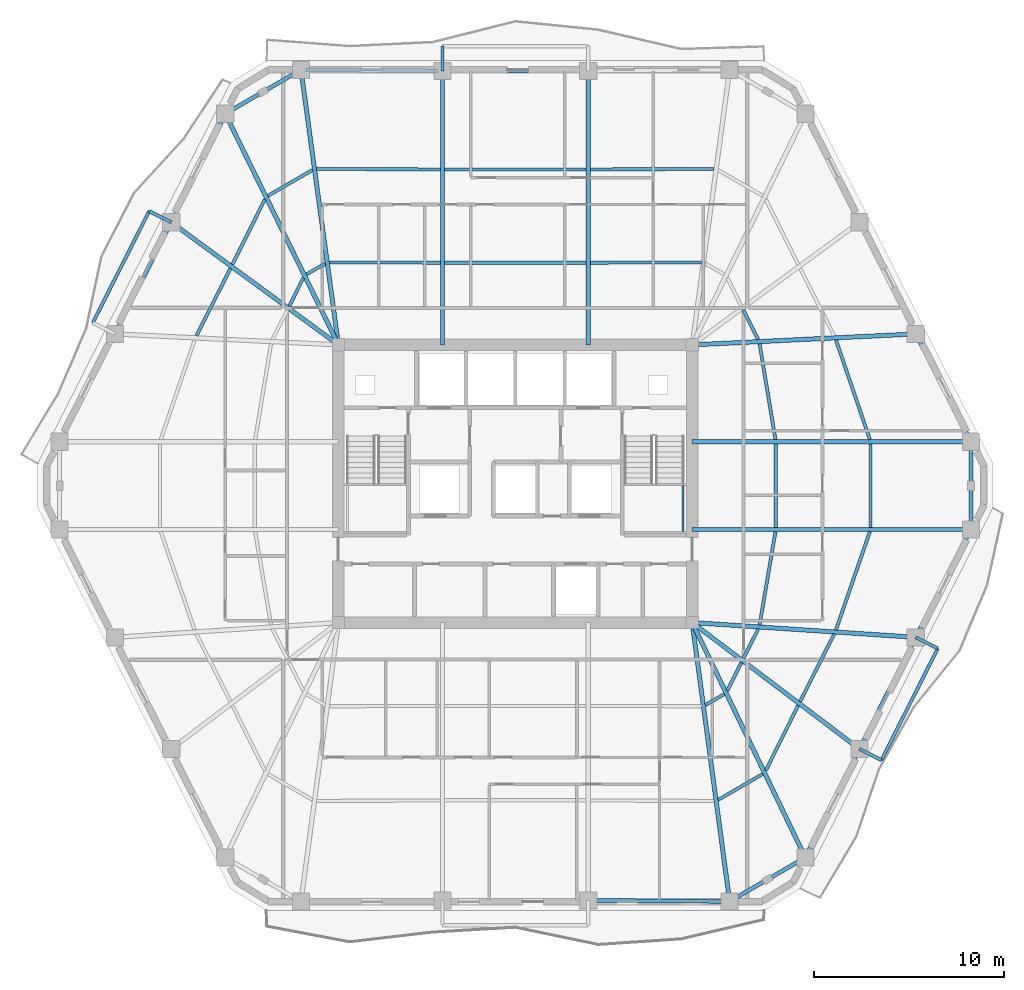
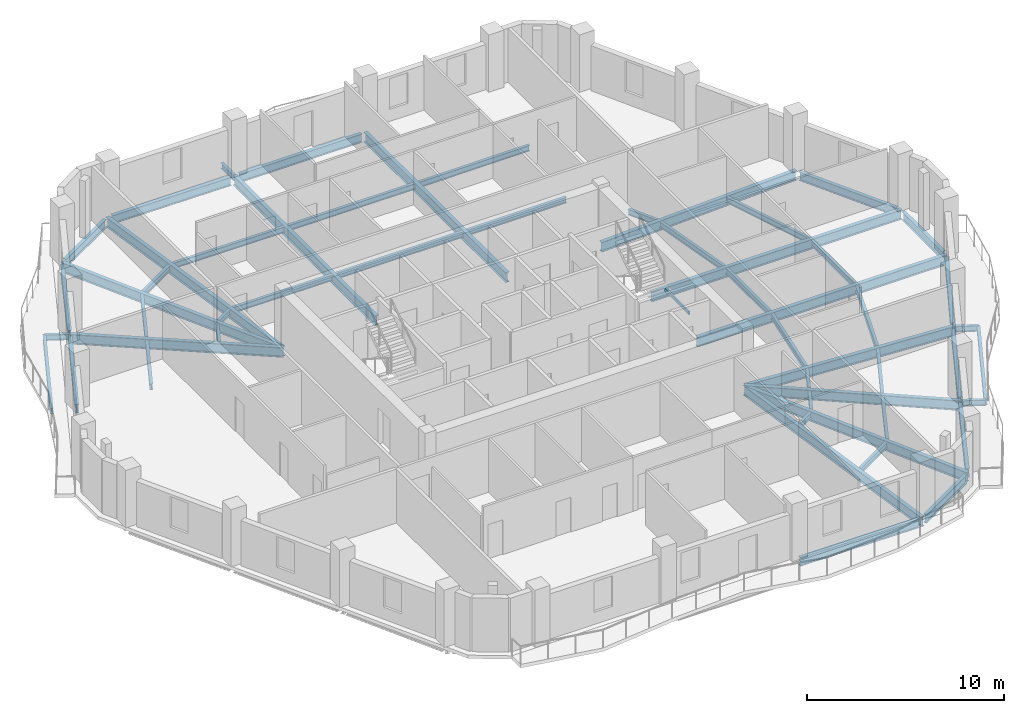
# One storey, part 2 of 10: 55 beams.
"""IFC4 building model written with IfcOpenShell, lengths in metres."""

from ifc_helpers import new_model, si_unit, direction, frame, origin, origin_2d, place, context, subcontext, project, spatial, hollow_rectangle, i_section, extrude, material, material_profile, profile_set, type_object, element, save


model = new_model("IFC4")

# Units and contexts
model_context = context("Model", 3, precision=1e-05, world=origin(), true_north=direction((0.0, 1.0)))
body_context = subcontext(model_context, "Body", "Model", "MODEL_VIEW")
ifc_project = project(units=[si_unit("LENGTHUNIT", "METRE"), si_unit("AREAUNIT", "SQUARE_METRE"), si_unit("VOLUMEUNIT", "CUBIC_METRE"), si_unit("PLANEANGLEUNIT", "RADIAN"), si_unit("MASSUNIT", "GRAM", prefix="KILO")], contexts=[model_context])

# Site, building, storey
site_placement = place(None, origin())
site = spatial("IfcSite", under=ifc_project, at=site_placement, CompositionType="ELEMENT")
building_placement = place(site_placement, origin())
building = spatial("IfcBuilding", under=site, at=building_placement, Name="Cinnabar Lancet Tower", CompositionType="ELEMENT")
storey_placement = place(building_placement, frame((0.0, 0.0, 164.14990234375)))
storey = spatial("IfcBuildingStorey", under=building, at=storey_placement, Name="L43", CompositionType="ELEMENT", Elevation=164.14990234375)

# Beams
ifc_material_1 = material(Name="Structural steel S355", Category="steel")
ifc_material_profile_1 = material_profile(ifc_material_1, i_section(OverallWidth=0.17138671875, OverallDepth=0.35498046875, WebThickness=0.00732421875, FlangeThickness=0.011474609375, FilletRadius=0.01025390625, at=origin_2d()), Name="UKB 356x171x51")
ifc_profile_set_1 = profile_set([ifc_material_profile_1], Name="Structural steel S355")
beam_type_1 = type_object("IfcBeamType", Name="STR-BM-JST-356", PredefinedType="JOIST", material=ifc_profile_set_1)
beam_1_placement = place(storey_placement, frame((43.06689453125, 9.279052734375, -0.387939453125), z_axis=(0.865172906898, 0.501473669469, 0.0), x_axis=(-0.501473669469, 0.865172906898, 0.0)))
element("IfcBeam", 1, at=beam_1_placement, inside=storey, type_object=beam_type_1, Name="L43 Secondary Floor Joist 15", PredefinedType="JOIST", context=body_context, shape_type="SweptSolid", body=[
    extrude(i_section(OverallWidth=0.17138671875, OverallDepth=0.35498046875, WebThickness=0.00732421875, FlangeThickness=0.011474609375, FilletRadius=0.01025390625, at=origin_2d()), origin(), (0.0, 0.0, 1.0), 2.705810546875),
])
beam_2_placement = place(storey_placement, frame((42.39794921875, 14.263916015625, -0.387939453125), z_axis=(0.865426285481, 0.501036270542, 0.0), x_axis=(-0.501036270542, 0.865426285481, 0.0)))
element("IfcBeam", 2, at=beam_2_placement, inside=storey, type_object=beam_type_1, Name="L43 Secondary Floor Joist 16", PredefinedType="JOIST", context=body_context, shape_type="SweptSolid", body=[
    extrude(i_section(OverallWidth=0.17138671875, OverallDepth=0.35498046875, WebThickness=0.00732421875, FlangeThickness=0.011474609375, FilletRadius=0.01025390625, at=origin_2d()), origin(), (0.0, 0.0, 1.0), 1.1416015625),
])
beam_3_placement = place(storey_placement, frame((45.572021484375, 10.822998046875, -0.387939453125), z_axis=(0.445320605596, 0.895371184611, 0.0), x_axis=(-0.895371184611, 0.445320605596, 0.0)))
element("IfcBeam", 3, at=beam_3_placement, inside=storey, type_object=beam_type_1, Name="L43 Secondary Floor Joist 17", PredefinedType="JOIST", context=body_context, shape_type="SweptSolid", body=[
    extrude(i_section(OverallWidth=0.17138671875, OverallDepth=0.35498046875, WebThickness=0.00732421875, FlangeThickness=0.011474609375, FilletRadius=0.01025390625, at=origin_2d()), origin(), (0.0, 0.0, 1.0), 3.819580078125),
])
beam_4_placement = place(storey_placement, frame((43.549072265625, 15.02294921875, -0.387939453125), z_axis=(0.445203586036, 0.895429375764, 0.0), x_axis=(-0.895429375764, 0.445203586036, 0.0)))
element("IfcBeam", 4, at=beam_4_placement, inside=storey, type_object=beam_type_1, Name="L43 Secondary Floor Joist 18", PredefinedType="JOIST", context=body_context, shape_type="SweptSolid", body=[
    extrude(i_section(OverallWidth=0.17138671875, OverallDepth=0.35498046875, WebThickness=0.00732421875, FlangeThickness=0.011474609375, FilletRadius=0.01025390625, at=origin_2d()), origin(), (0.0, 0.0, 1.0), 1.65283203125),
])
beam_5_placement = place(storey_placement, frame((47.376953125, 14.450927734375, -0.387939453125), z_axis=(0.450656035687, 0.892697674187, 0.0), x_axis=(-0.892697674187, 0.450656035687, 0.0)))
element("IfcBeam", 5, at=beam_5_placement, inside=storey, type_object=beam_type_1, Name="L43 Secondary Floor Joist 19", PredefinedType="JOIST", context=body_context, shape_type="SweptSolid", body=[
    extrude(i_section(OverallWidth=0.17138671875, OverallDepth=0.35498046875, WebThickness=0.00732421875, FlangeThickness=0.011474609375, FilletRadius=0.01025390625, at=origin_2d()), origin(), (0.0, 0.0, 1.0), 3.9677734375),
])
beam_6_placement = place(storey_placement, frame((44.388916015625, 16.7099609375, -0.387939453125), z_axis=(0.45064755491, 0.892701955444, 0.0), x_axis=(-0.892701955444, 0.45064755491, 0.0)))
element("IfcBeam", 6, at=beam_6_placement, inside=storey, type_object=beam_type_1, Name="L43 Secondary Floor Joist 20", PredefinedType="JOIST", context=body_context, shape_type="SweptSolid", body=[
    extrude(i_section(OverallWidth=0.17138671875, OverallDepth=0.35498046875, WebThickness=0.00732421875, FlangeThickness=0.011474609375, FilletRadius=0.01025390625, at=origin_2d()), origin(), (0.0, 0.0, 1.0), 1.733154296875),
])
beam_7_placement = place(storey_placement, frame((49.260009765625, 18.215087890625, -0.387939453125), z_axis=(0.326162915393, 0.945313573701, 0.0), x_axis=(-0.945313573701, 0.326162915393, 0.0)))
element("IfcBeam", 7, at=beam_7_placement, inside=storey, type_object=beam_type_1, Name="L43 Secondary Floor Joist 21", PredefinedType="JOIST", context=body_context, shape_type="SweptSolid", body=[
    extrude(i_section(OverallWidth=0.17138671875, OverallDepth=0.35498046875, WebThickness=0.00732421875, FlangeThickness=0.011474609375, FilletRadius=0.01025390625, at=origin_2d()), origin(), (0.0, 0.0, 1.0), 5.46044921875),
])
beam_8_placement = place(storey_placement, frame((45.2451171875, 18.47998046875, -0.387939453125), z_axis=(0.167649950638, 0.985846587483, 0.0), x_axis=(-0.985846587483, 0.167649950638, 0.0)))
element("IfcBeam", 8, at=beam_8_placement, inside=storey, type_object=beam_type_1, Name="L43 Secondary Floor Joist 22", PredefinedType="JOIST", context=body_context, shape_type="SweptSolid", body=[
    extrude(i_section(OverallWidth=0.17138671875, OverallDepth=0.35498046875, WebThickness=0.00732421875, FlangeThickness=0.011474609375, FilletRadius=0.01025390625, at=origin_2d()), origin(), (0.0, 0.0, 1.0), 4.96728515625),
])
for number, where, z_axis, x_axis, name in (
    (9, (51.080078125, 23.60498046875, -0.387939453125), (0.0, 1.0, 0.0), (-1.0, 0.0, 0.0), "L43 Secondary Floor Joist 23"),
    (10, (46.096923828125, 23.60498046875, -0.387939453125), (0.0, 1.0, 0.0), (-1.0, 0.0, 0.0), "L43 Secondary Floor Joist 24"),
):
    element("IfcBeam", number, at=place(storey_placement, frame(where, z_axis=z_axis, x_axis=x_axis)), inside=storey, type_object=beam_type_1, Name=name, PredefinedType="JOIST", context=body_context, shape_type="SweptSolid", body=[
        extrude(i_section(OverallWidth=0.17138671875, OverallDepth=0.35498046875, WebThickness=0.00732421875, FlangeThickness=0.011474609375, FilletRadius=0.01025390625, at=origin_2d()), origin(), (0.0, 0.0, 1.0), 4.39013671875),
    ])
beam_9_placement = place(storey_placement, frame((51.0419921875, 28.222900390625, -0.387939453125), z_axis=(-0.322342106762, 0.946623244067, 0.0), x_axis=(-0.946623244067, -0.322342106762, 0.0)))
element("IfcBeam", 11, at=beam_9_placement, inside=storey, type_object=beam_type_1, Name="L43 Secondary Floor Joist 25", PredefinedType="JOIST", context=body_context, shape_type="SweptSolid", body=[
    extrude(i_section(OverallWidth=0.17138671875, OverallDepth=0.35498046875, WebThickness=0.00732421875, FlangeThickness=0.011474609375, FilletRadius=0.01025390625, at=origin_2d()), origin(), (0.0, 0.0, 1.0), 5.5283203125),
])
beam_10_placement = place(storey_placement, frame((46.077880859375, 28.222900390625, -0.387939453125), z_axis=(-0.163375154205, 0.98656401667, 0.0), x_axis=(-0.98656401667, -0.163375154205, 0.0)))
element("IfcBeam", 12, at=beam_10_placement, inside=storey, type_object=beam_type_1, Name="L43 Secondary Floor Joist 26", PredefinedType="JOIST", context=body_context, shape_type="SweptSolid", body=[
    extrude(i_section(OverallWidth=0.17138671875, OverallDepth=0.35498046875, WebThickness=0.00732421875, FlangeThickness=0.011474609375, FilletRadius=0.01025390625, at=origin_2d()), origin(), (0.0, 0.0, 1.0), 5.104736328125),
])
beam_11_placement = place(storey_placement, frame((45.1689453125, 33.48388671875, -0.387939453125), z_axis=(-0.450425008213, 0.892814265106, 0.0), x_axis=(-0.892814265106, -0.450425008213, 0.0)))
element("IfcBeam", 13, at=beam_11_placement, inside=storey, type_object=beam_type_1, Name="L43 Secondary Floor Joist 28", PredefinedType="JOIST", context=body_context, shape_type="SweptSolid", body=[
    extrude(i_section(OverallWidth=0.17138671875, OverallDepth=0.35498046875, WebThickness=0.00732421875, FlangeThickness=0.011474609375, FilletRadius=0.01025390625, at=origin_2d()), origin(), (0.0, 0.0, 1.0), 1.731689453125),
])
beam_12_placement = place(storey_placement, frame((42.844970703125, 42.4541015625, -0.387939453125), z_axis=(-0.999987891549, -0.004921052359, 0.0), x_axis=(0.004921052359, -0.999987891549, 0.0)))
element("IfcBeam", 14, at=beam_12_placement, inside=storey, type_object=beam_type_1, Name="L43 Secondary Floor Joist 33", PredefinedType="JOIST", context=body_context, shape_type="SweptSolid", body=[
    extrude(i_section(OverallWidth=0.17138671875, OverallDepth=0.35498046875, WebThickness=0.00732421875, FlangeThickness=0.011474609375, FilletRadius=0.01025390625, at=origin_2d()), origin(), (0.0, 0.0, 1.0), 6.4990234375),
])
beam_13_placement = place(storey_placement, frame((42.176025390625, 37.5380859375, -0.387939453125), z_axis=(-0.999996629591, -0.002596306157, 0.0), x_axis=(0.002596306157, -0.999996629591, 0.0)))
element("IfcBeam", 15, at=beam_13_placement, inside=storey, type_object=beam_type_1, Name="L43 Secondary Floor Joist 34", PredefinedType="JOIST", context=body_context, shape_type="SweptSolid", body=[
    extrude(i_section(OverallWidth=0.17138671875, OverallDepth=0.35498046875, WebThickness=0.00732421875, FlangeThickness=0.011474609375, FilletRadius=0.01025390625, at=origin_2d()), origin(), (0.0, 0.0, 1.0), 5.830078125),
])
for number, where, z_axis, x_axis, name in (
    (16, (36.117919921875, 42.4208984375, -0.387939453125), (-1.0, 0.0, 0.0), (0.0, -1.0, 0.0), "L43 Secondary Floor Joist 35"),
    (17, (36.117919921875, 37.52197265625, -0.387939453125), (-1.0, 0.0, 0.0), (0.0, -1.0, 0.0), "L43 Secondary Floor Joist 36"),
):
    element("IfcBeam", number, at=place(storey_placement, frame(where, z_axis=z_axis, x_axis=x_axis)), inside=storey, type_object=beam_type_1, Name=name, PredefinedType="JOIST", context=body_context, shape_type="SweptSolid", body=[
        extrude(i_section(OverallWidth=0.17138671875, OverallDepth=0.35498046875, WebThickness=0.00732421875, FlangeThickness=0.011474609375, FilletRadius=0.01025390625, at=origin_2d()), origin(), (0.0, 0.0, 1.0), 7.43603515625),
    ])
beam_14_placement = place(storey_placement, frame((28.4541015625, 42.422119140625, -0.387939453125), z_axis=(-0.999987891549, 0.004921052359, 0.0), x_axis=(-0.004921052359, -0.999987891549, 0.0)))
element("IfcBeam", 18, at=beam_14_placement, inside=storey, type_object=beam_type_1, Name="L43 Secondary Floor Joist 37", PredefinedType="JOIST", context=body_context, shape_type="SweptSolid", body=[
    extrude(i_section(OverallWidth=0.17138671875, OverallDepth=0.35498046875, WebThickness=0.00732421875, FlangeThickness=0.011474609375, FilletRadius=0.01025390625, at=origin_2d()), origin(), (0.0, 0.0, 1.0), 6.4990234375),
])
beam_15_placement = place(storey_placement, frame((28.4541015625, 37.52294921875, -0.387939453125), z_axis=(-0.999996629591, 0.002596306157, 0.0), x_axis=(-0.002596306157, -0.999996629591, 0.0)))
element("IfcBeam", 19, at=beam_15_placement, inside=storey, type_object=beam_type_1, Name="L43 Secondary Floor Joist 38", PredefinedType="JOIST", context=body_context, shape_type="SweptSolid", body=[
    extrude(i_section(OverallWidth=0.17138671875, OverallDepth=0.35498046875, WebThickness=0.00732421875, FlangeThickness=0.011474609375, FilletRadius=0.01025390625, at=origin_2d()), origin(), (0.0, 0.0, 1.0), 5.830078125),
])
beam_16_placement = place(storey_placement, frame((21.73291015625, 42.39306640625, -0.387939453125), z_axis=(-0.865111063351, -0.50158035056, 0.0), x_axis=(0.50158035056, -0.865111063351, 0.0)))
element("IfcBeam", 20, at=beam_16_placement, inside=storey, type_object=beam_type_1, Name="L43 Secondary Floor Joist 39", PredefinedType="JOIST", context=body_context, shape_type="SweptSolid", body=[
    extrude(i_section(OverallWidth=0.17138671875, OverallDepth=0.35498046875, WebThickness=0.00732421875, FlangeThickness=0.011474609375, FilletRadius=0.01025390625, at=origin_2d()), origin(), (0.0, 0.0, 1.0), 2.705810546875),
])
beam_17_placement = place(storey_placement, frame((22.403076171875, 37.47607421875, -0.387939453125), z_axis=(-0.865640778484, -0.500665599602, 0.0), x_axis=(0.500665599602, -0.865640778484, 0.0)))
element("IfcBeam", 21, at=beam_17_placement, inside=storey, type_object=beam_type_1, Name="L43 Secondary Floor Joist 40", PredefinedType="JOIST", context=body_context, shape_type="SweptSolid", body=[
    extrude(i_section(OverallWidth=0.17138671875, OverallDepth=0.35498046875, WebThickness=0.00732421875, FlangeThickness=0.011474609375, FilletRadius=0.01025390625, at=origin_2d()), origin(), (0.0, 0.0, 1.0), 1.142578125),
])
beam_18_placement = place(storey_placement, frame((19.22900390625, 40.85009765625, -0.387939453125), z_axis=(-0.4452962175, -0.895383313827, 0.0), x_axis=(0.895383313827, -0.4452962175, 0.0)))
element("IfcBeam", 22, at=beam_18_placement, inside=storey, type_object=beam_type_1, Name="L43 Secondary Floor Joist 41", PredefinedType="JOIST", context=body_context, shape_type="SweptSolid", body=[
    extrude(i_section(OverallWidth=0.17138671875, OverallDepth=0.35498046875, WebThickness=0.00732421875, FlangeThickness=0.011474609375, FilletRadius=0.01025390625, at=origin_2d()), origin(), (0.0, 0.0, 1.0), 3.822021484375),
])
beam_19_placement = place(storey_placement, frame((21.2509765625, 36.717041015625, -0.387939453125), z_axis=(-0.445322008813, -0.895370486708, 0.0), x_axis=(0.895370486708, -0.445322008813, 0.0)))
element("IfcBeam", 23, at=beam_19_placement, inside=storey, type_object=beam_type_1, Name="L43 Secondary Floor Joist 42", PredefinedType="JOIST", context=body_context, shape_type="SweptSolid", body=[
    extrude(i_section(OverallWidth=0.17138671875, OverallDepth=0.35498046875, WebThickness=0.00732421875, FlangeThickness=0.011474609375, FilletRadius=0.01025390625, at=origin_2d()), origin(), (0.0, 0.0, 1.0), 1.65283203125),
])
beam_20_placement = place(storey_placement, frame((17.423095703125, 37.221923828125, -0.387939453125), z_axis=(-0.450656035687, -0.892697674187, 0.0), x_axis=(0.892697674187, -0.450656035687, 0.0)))
element("IfcBeam", 24, at=beam_20_placement, inside=storey, type_object=beam_type_1, Name="L43 Secondary Floor Joist 43", PredefinedType="JOIST", context=body_context, shape_type="SweptSolid", body=[
    extrude(i_section(OverallWidth=0.17138671875, OverallDepth=0.35498046875, WebThickness=0.00732421875, FlangeThickness=0.011474609375, FilletRadius=0.01025390625, at=origin_2d()), origin(), (0.0, 0.0, 1.0), 3.9677734375),
])
ifc_material_2 = material(Name="Structural steel S355", Category="steel")
ifc_material_profile_2 = material_profile(ifc_material_2, hollow_rectangle(XDim=0.10009765625, YDim=0.199951171875, WallThickness=0.008056640625, InnerFilletRadius=0.00390625, OuterFilletRadius=0.011962890625, at=origin_2d()), Name="RHS 200x100x8")
ifc_profile_set_2 = profile_set([ifc_material_profile_2], Name="Structural steel S355")
beam_type_2 = type_object("IfcBeamType", Name="STR-BM-LND-203", PredefinedType="BEAM", material=ifc_profile_set_2)
beam_21_placement = place(storey_placement, frame((41.219970703125, 23.3798828125, 1.47509765625), z_axis=(0.0, 1.0, 0.0), x_axis=(-1.0, 0.0, 0.0)))
element("IfcBeam", 25, at=beam_21_placement, inside=storey, type_object=beam_type_2, Name="L43 ST-2-L43 Landing Side Trimmer Beam", PredefinedType="BEAM", context=body_context, shape_type="SweptSolid", body=[
    extrude(hollow_rectangle(XDim=0.10009765625, YDim=0.199951171875, WallThickness=0.008056640625, InnerFilletRadius=0.00390625, OuterFilletRadius=0.011962890625, at=origin_2d()), origin(), (0.0, 0.0, 1.0), 2.4150390625),
])
ifc_material_3 = material(Name="Structural steel S355", Category="steel")
ifc_material_profile_3 = material_profile(ifc_material_3, i_section(OverallWidth=0.209228515625, OverallDepth=0.533203125, WebThickness=0.010009765625, FlangeThickness=0.015625, FilletRadius=0.0126953125, at=origin_2d()), Name="UKB 533x210x92")
ifc_profile_set_3 = profile_set([ifc_material_profile_3], Name="Structural steel S355")
beam_type_3 = type_object("IfcBeamType", Name="STR-BM-SPN-533", PredefinedType="SPANDREL", material=ifc_profile_set_3)
beam_22_placement = place(storey_placement, frame((36.48193359375, 3.989990234375, -0.476806640625), z_axis=(0.999974980359, -0.007073800628, 0.0), x_axis=(0.007073800628, 0.999974980359, 0.0)))
element("IfcBeam", 26, at=beam_22_placement, inside=storey, type_object=beam_type_3, Name="L43 Perimeter Spandrel 3", PredefinedType="SPANDREL", context=body_context, shape_type="SweptSolid", body=[
    extrude(i_section(OverallWidth=0.209228515625, OverallDepth=0.533203125, WebThickness=0.010009765625, FlangeThickness=0.015625, FilletRadius=0.0126953125, at=origin_2d()), origin(), (0.0, 0.0, 1.0), 6.937255859375),
])
beam_23_placement = place(storey_placement, frame((43.885009765625, 4.06396484375, -0.476806640625), z_axis=(0.865112299906, 0.501578217781, 0.0), x_axis=(-0.501578217781, 0.865112299906, 0.0)))
element("IfcBeam", 27, at=beam_23_placement, inside=storey, type_object=beam_type_3, Name="L43 Perimeter Spandrel 4", PredefinedType="SPANDREL", context=body_context, shape_type="SweptSolid", body=[
    extrude(i_section(OverallWidth=0.209228515625, OverallDepth=0.533203125, WebThickness=0.010009765625, FlangeThickness=0.015625, FilletRadius=0.0126953125, at=origin_2d()), origin(), (0.0, 0.0, 1.0), 4.101318359375),
])
beam_24_placement = place(storey_placement, frame((47.760009765625, 6.469970703125, -0.476806640625), z_axis=(0.445501068635, 0.89528140707, 0.0), x_axis=(-0.89528140707, 0.445501068635, 0.0)))
element("IfcBeam", 28, at=beam_24_placement, inside=storey, type_object=beam_type_3, Name="L43 Perimeter Spandrel 5", PredefinedType="SPANDREL", context=body_context, shape_type="SweptSolid", body=[
    extrude(i_section(OverallWidth=0.209228515625, OverallDepth=0.533203125, WebThickness=0.010009765625, FlangeThickness=0.015625, FilletRadius=0.0126953125, at=origin_2d()), origin(), (0.0, 0.0, 1.0), 5.87646484375),
])
beam_25_placement = place(storey_placement, frame((50.60205078125, 12.177978515625, -0.476806640625), z_axis=(0.450570325924, 0.892740937449, 0.0), x_axis=(-0.892740937449, 0.450570325924, 0.0)))
element("IfcBeam", 29, at=beam_25_placement, inside=storey, type_object=beam_type_3, Name="L43 Perimeter Spandrel 6", PredefinedType="SPANDREL", context=body_context, shape_type="SweptSolid", body=[
    extrude(i_section(OverallWidth=0.209228515625, OverallDepth=0.533203125, WebThickness=0.010009765625, FlangeThickness=0.015625, FilletRadius=0.0126953125, at=origin_2d()), origin(), (0.0, 0.0, 1.0), 6.07470703125),
])
beam_26_placement = place(storey_placement, frame((53.56591796875, 18.0458984375, -0.476806640625), z_axis=(0.456109733574, 0.889923542187, 0.0), x_axis=(-0.889923542187, 0.456109733574, 0.0)))
element("IfcBeam", 30, at=beam_26_placement, inside=storey, type_object=beam_type_3, Name="L43 Perimeter Spandrel 7", PredefinedType="SPANDREL", context=body_context, shape_type="SweptSolid", body=[
    extrude(i_section(OverallWidth=0.209228515625, OverallDepth=0.533203125, WebThickness=0.010009765625, FlangeThickness=0.015625, FilletRadius=0.0126953125, at=origin_2d()), origin(), (0.0, 0.0, 1.0), 5.869140625),
])
beam_27_placement = place(storey_placement, frame((56.35693359375, 23.740966796875, -0.476806640625), z_axis=(0.0, 1.0, 0.0), x_axis=(-1.0, 0.0, 0.0)))
element("IfcBeam", 31, at=beam_27_placement, inside=storey, type_object=beam_type_3, Name="L43 Perimeter Spandrel 8", PredefinedType="SPANDREL", context=body_context, shape_type="SweptSolid", body=[
    extrude(i_section(OverallWidth=0.209228515625, OverallDepth=0.533203125, WebThickness=0.010009765625, FlangeThickness=0.015625, FilletRadius=0.0126953125, at=origin_2d()), origin(), (0.0, 0.0, 1.0), 4.117919921875),
])
beam_28_placement = place(storey_placement, frame((56.242919921875, 28.3310546875, -0.476806640625), z_axis=(-0.456126618405, 0.889914888055, 0.0), x_axis=(-0.889914888055, -0.456126618405, 0.0)))
element("IfcBeam", 32, at=beam_28_placement, inside=storey, type_object=beam_type_3, Name="L43 Perimeter Spandrel 9", PredefinedType="SPANDREL", context=body_context, shape_type="SweptSolid", body=[
    extrude(i_section(OverallWidth=0.209228515625, OverallDepth=0.533203125, WebThickness=0.010009765625, FlangeThickness=0.015625, FilletRadius=0.0126953125, at=origin_2d()), origin(), (0.0, 0.0, 1.0), 5.868896484375),
])
beam_29_placement = place(storey_placement, frame((35.98193359375, 47.60791015625, -0.476806640625), z_axis=(-1.0, 0.0, 0.0), x_axis=(0.0, -1.0, 0.0)))
element("IfcBeam", 33, at=beam_29_placement, inside=storey, type_object=beam_type_3, Name="L43 Perimeter Spandrel 14", PredefinedType="SPANDREL", context=body_context, shape_type="SweptSolid", body=[
    extrude(i_section(OverallWidth=0.209228515625, OverallDepth=0.533203125, WebThickness=0.010009765625, FlangeThickness=0.015625, FilletRadius=0.0126953125, at=origin_2d()), origin(), (0.0, 0.0, 1.0), 7.163818359375),
])
beam_30_placement = place(storey_placement, frame((28.318115234375, 47.610107421875, -0.476806640625), z_axis=(-0.999975228682, 0.007038609338, 0.0), x_axis=(-0.007038609338, -0.999975228682, 0.0)))
element("IfcBeam", 34, at=beam_30_placement, inside=storey, type_object=beam_type_3, Name="L43 Perimeter Spandrel 15", PredefinedType="SPANDREL", context=body_context, shape_type="SweptSolid", body=[
    extrude(i_section(OverallWidth=0.209228515625, OverallDepth=0.533203125, WebThickness=0.010009765625, FlangeThickness=0.015625, FilletRadius=0.0126953125, at=origin_2d()), origin(), (0.0, 0.0, 1.0), 6.937255859375),
])
beam_31_placement = place(storey_placement, frame((20.9150390625, 47.535888671875, -0.476806640625), z_axis=(-0.865138129765, -0.5015336643, 0.0), x_axis=(0.5015336643, -0.865138129765, 0.0)))
element("IfcBeam", 35, at=beam_31_placement, inside=storey, type_object=beam_type_3, Name="L43 Perimeter Spandrel 16", PredefinedType="SPANDREL", context=body_context, shape_type="SweptSolid", body=[
    extrude(i_section(OverallWidth=0.209228515625, OverallDepth=0.533203125, WebThickness=0.010009765625, FlangeThickness=0.015625, FilletRadius=0.0126953125, at=origin_2d()), origin(), (0.0, 0.0, 1.0), 4.10107421875),
])
beam_32_placement = place(storey_placement, frame((17.0400390625, 45.1298828125, -0.476806640625), z_axis=(-0.445501068635, -0.89528140707, 0.0), x_axis=(0.89528140707, -0.445501068635, 0.0)))
element("IfcBeam", 36, at=beam_32_placement, inside=storey, type_object=beam_type_3, Name="L43 Perimeter Spandrel 17", PredefinedType="SPANDREL", context=body_context, shape_type="SweptSolid", body=[
    extrude(i_section(OverallWidth=0.209228515625, OverallDepth=0.533203125, WebThickness=0.010009765625, FlangeThickness=0.015625, FilletRadius=0.0126953125, at=origin_2d()), origin(), (0.0, 0.0, 1.0), 5.87646484375),
])
beam_33_placement = place(storey_placement, frame((14.197998046875, 39.422119140625, -0.476806640625), z_axis=(-0.450570325924, -0.892740937449, 0.0), x_axis=(0.892740937449, -0.450570325924, 0.0)))
element("IfcBeam", 37, at=beam_33_placement, inside=storey, type_object=beam_type_3, Name="L43 Perimeter Spandrel 18", PredefinedType="SPANDREL", context=body_context, shape_type="SweptSolid", body=[
    extrude(i_section(OverallWidth=0.209228515625, OverallDepth=0.533203125, WebThickness=0.010009765625, FlangeThickness=0.015625, FilletRadius=0.0126953125, at=origin_2d()), origin(), (0.0, 0.0, 1.0), 6.07470703125),
])
ifc_material_4 = material(Name="Structural steel S355", Category="steel")
ifc_material_profile_4 = material_profile(ifc_material_4, i_section(OverallWidth=0.228271484375, OverallDepth=0.607666015625, WebThickness=0.010986328125, FlangeThickness=0.017333984375, FilletRadius=0.0126953125, at=origin_2d()), Name="UKB 610x229x113")
ifc_profile_set_4 = profile_set([ifc_material_profile_4], Name="Structural steel S355")
beam_type_4 = type_object("IfcBeamType", Name="STR-BM-UKB610-113", PredefinedType="BEAM", material=ifc_profile_set_4)
beam_34_placement = place(storey_placement, frame((50.489013671875, 11.955078125, -0.513916015625), z_axis=(-0.797675450227, 0.603086955675, 0.0), x_axis=(-0.603086955675, -0.797675450227, 0.0)))
element("IfcBeam", 38, at=beam_34_placement, inside=storey, type_object=beam_type_4, Name="L43 Corner Collector Girder 2", PredefinedType="BEAM", context=body_context, shape_type="SweptSolid", body=[
    extrude(i_section(OverallWidth=0.228271484375, OverallDepth=0.607666015625, WebThickness=0.010986328125, FlangeThickness=0.017333984375, FilletRadius=0.0126953125, at=origin_2d()), origin(), (0.0, 0.0, 1.0), 11.018310546875),
])
beam_35_placement = place(storey_placement, frame((14.31103515625, 39.64501953125, -0.513916015625), z_axis=(0.806415678013, -0.591349096774, 0.0), x_axis=(0.591349096774, 0.806415678013, 0.0)))
element("IfcBeam", 39, at=beam_35_placement, inside=storey, type_object=beam_type_4, Name="L43 Corner Collector Girder 4", PredefinedType="BEAM", context=body_context, shape_type="SweptSolid", body=[
    extrude(i_section(OverallWidth=0.228271484375, OverallDepth=0.607666015625, WebThickness=0.010986328125, FlangeThickness=0.017333984375, FilletRadius=0.0126953125, at=origin_2d()), origin(), (0.0, 0.0, 1.0), 10.89892578125),
])
beam_36_placement = place(storey_placement, frame((43.6689453125, 3.93896484375, -0.513916015625), z_axis=(-0.133105256814, 0.991101907277, 0.0), x_axis=(-0.991101907277, -0.133105256814, 0.0)))
element("IfcBeam", 40, at=beam_36_placement, inside=storey, type_object=beam_type_4, Name="L43 Primary Floor Girder 4", PredefinedType="BEAM", context=body_context, shape_type="SweptSolid", body=[
    extrude(i_section(OverallWidth=0.228271484375, OverallDepth=0.607666015625, WebThickness=0.010986328125, FlangeThickness=0.017333984375, FilletRadius=0.0126953125, at=origin_2d()), origin(), (0.0, 0.0, 1.0), 14.792724609375),
])
beam_37_placement = place(storey_placement, frame((47.64892578125, 6.24609375, -0.513916015625), z_axis=(-0.433860052011, 0.900980274628, 0.0), x_axis=(-0.900980274628, -0.433860052011, 0.0)))
element("IfcBeam", 41, at=beam_37_placement, inside=storey, type_object=beam_type_4, Name="L43 Primary Floor Girder 5", PredefinedType="BEAM", context=body_context, shape_type="SweptSolid", body=[
    extrude(i_section(OverallWidth=0.228271484375, OverallDepth=0.607666015625, WebThickness=0.010986328125, FlangeThickness=0.017333984375, FilletRadius=0.0126953125, at=origin_2d()), origin(), (0.0, 0.0, 1.0), 13.711669921875),
])
beam_38_placement = place(storey_placement, frame((53.451904296875, 17.823974609375, -0.513916015625), z_axis=(-0.997826331825, 0.065898494035, 0.0), x_axis=(-0.065898494035, -0.997826331825, 0.0)))
element("IfcBeam", 42, at=beam_38_placement, inside=storey, type_object=beam_type_4, Name="L43 Primary Floor Girder 7", PredefinedType="BEAM", context=body_context, shape_type="SweptSolid", body=[
    extrude(i_section(OverallWidth=0.228271484375, OverallDepth=0.607666015625, WebThickness=0.010986328125, FlangeThickness=0.017333984375, FilletRadius=0.0126953125, at=origin_2d()), origin(), (0.0, 0.0, 1.0), 11.777587890625),
])
for number, where, z_axis, x_axis, name in (
    (43, (56.35693359375, 23.490966796875, -0.513916015625), (-1.0, 0.0, 0.0), (0.0, -1.0, 0.0), "L43 Primary Floor Girder 8"),
    (44, (56.35693359375, 28.10888671875, -0.513916015625), (-1.0, 0.0, 0.0), (0.0, -1.0, 0.0), "L43 Primary Floor Girder 9"),
):
    element("IfcBeam", number, at=place(storey_placement, frame(where, z_axis=z_axis, x_axis=x_axis)), inside=storey, type_object=beam_type_4, Name=name, PredefinedType="BEAM", context=body_context, shape_type="SweptSolid", body=[
        extrude(i_section(OverallWidth=0.228271484375, OverallDepth=0.607666015625, WebThickness=0.010986328125, FlangeThickness=0.017333984375, FilletRadius=0.0126953125, at=origin_2d()), origin(), (0.0, 0.0, 1.0), 14.656982421875),
    ])
beam_39_placement = place(storey_placement, frame((53.451904296875, 33.77587890625, -0.513916015625), z_axis=(-0.998801316657, -0.048948236372, 0.0), x_axis=(0.048948236372, -0.998801316657, 0.0)))
element("IfcBeam", 45, at=beam_39_placement, inside=storey, type_object=beam_type_4, Name="L43 Primary Floor Girder 10", PredefinedType="BEAM", context=body_context, shape_type="SweptSolid", body=[
    extrude(i_section(OverallWidth=0.228271484375, OverallDepth=0.607666015625, WebThickness=0.010986328125, FlangeThickness=0.017333984375, FilletRadius=0.0126953125, at=origin_2d()), origin(), (0.0, 0.0, 1.0), 11.76611328125),
])
for number, where, z_axis, x_axis, name in (
    (46, (36.23193359375, 47.60791015625, -0.513916015625), (0.0, -1.0, 0.0), (1.0, 0.0, 0.0), "L43 Primary Floor Girder 14"),
    (47, (28.568115234375, 47.60791015625, -0.513916015625), (0.0, -1.0, 0.0), (1.0, 0.0, 0.0), "L43 Primary Floor Girder 15"),
):
    element("IfcBeam", number, at=place(storey_placement, frame(where, z_axis=z_axis, x_axis=x_axis)), inside=storey, type_object=beam_type_4, Name=name, PredefinedType="BEAM", context=body_context, shape_type="SweptSolid", body=[
        extrude(i_section(OverallWidth=0.228271484375, OverallDepth=0.607666015625, WebThickness=0.010986328125, FlangeThickness=0.017333984375, FilletRadius=0.0126953125, at=origin_2d()), origin(), (0.0, 0.0, 1.0), 14.407958984375),
    ])
beam_40_placement = place(storey_placement, frame((21.131103515625, 47.660888671875, -0.513916015625), z_axis=(0.134914632731, -0.990857225777, 0.0), x_axis=(0.990857225777, 0.134914632731, 0.0)))
element("IfcBeam", 48, at=beam_40_placement, inside=storey, type_object=beam_type_4, Name="L43 Primary Floor Girder 16", PredefinedType="BEAM", context=body_context, shape_type="SweptSolid", body=[
    extrude(i_section(OverallWidth=0.228271484375, OverallDepth=0.607666015625, WebThickness=0.010986328125, FlangeThickness=0.017333984375, FilletRadius=0.0126953125, at=origin_2d()), origin(), (0.0, 0.0, 1.0), 14.594482421875),
])
beam_41_placement = place(storey_placement, frame((17.15087890625, 45.35400390625, -0.513916015625), z_axis=(0.439641746189, -0.898173221048, 0.0), x_axis=(0.898173221048, 0.439641746189, 0.0)))
element("IfcBeam", 49, at=beam_41_placement, inside=storey, type_object=beam_type_4, Name="L43 Primary Floor Girder 17", PredefinedType="BEAM", context=body_context, shape_type="SweptSolid", body=[
    extrude(i_section(OverallWidth=0.228271484375, OverallDepth=0.607666015625, WebThickness=0.010986328125, FlangeThickness=0.017333984375, FilletRadius=0.0126953125, at=origin_2d()), origin(), (0.0, 0.0, 1.0), 13.531982421875),
])
ifc_material_5 = material(Name="Structural steel S355", Category="steel")
ifc_material_profile_5 = material_profile(ifc_material_5, i_section(OverallWidth=0.17138671875, OverallDepth=0.35498046875, WebThickness=0.00732421875, FlangeThickness=0.011474609375, FilletRadius=0.01025390625, at=origin_2d()), Name="UKB 356x171x51")
ifc_profile_set_5 = profile_set([ifc_material_profile_5], Name="Structural steel S355")
beam_type_5 = type_object("IfcBeamType", Name="STR-BM-WAV-OUT", PredefinedType="BEAM", material=ifc_profile_set_5)
for number, where, z_axis, x_axis, name in (
    (50, (50.489013671875, 11.955078125, -0.39794921875), (0.892200264127, -0.451639998995, 0.0), (0.451639998995, 0.892200264127, 0.0), "L43 Face 2 Balcony Outlooker A"),
    (51, (53.451904296875, 17.823974609375, -0.39794921875), (0.892314203325, -0.451414845285, 0.0), (0.451414845285, 0.892314203325, 0.0), "L43 Face 2 Balcony Outlooker B"),
    (52, (28.568115234375, 47.60791015625, -0.39794921875), (0.0, 1.0, 0.0), (-1.0, 0.0, 0.0), "L43 Face 4 Balcony Outlooker B"),
    (53, (14.31103515625, 39.64501953125, -0.39794921875), (-0.892314203325, 0.451414845285, 0.0), (-0.451414845285, -0.892314203325, 0.0), "L43 Face 5 Balcony Outlooker A"),
):
    element("IfcBeam", number, at=place(storey_placement, frame(where, z_axis=z_axis, x_axis=x_axis)), inside=storey, type_object=beam_type_5, Name=name, PredefinedType="BEAM", context=body_context, shape_type="SweptSolid", body=[
        extrude(i_section(OverallWidth=0.17138671875, OverallDepth=0.35498046875, WebThickness=0.00732421875, FlangeThickness=0.011474609375, FilletRadius=0.01025390625, at=origin_2d()), origin(), (0.0, 0.0, 1.0), 1.300048828125),
    ])
ifc_material_6 = material(Name="Structural steel S355", Category="steel")
ifc_material_profile_6 = material_profile(ifc_material_6, i_section(OverallWidth=0.17138671875, OverallDepth=0.35498046875, WebThickness=0.00732421875, FlangeThickness=0.011474609375, FilletRadius=0.01025390625, at=origin_2d()), Name="UKB 356x171x51")
ifc_profile_set_6 = profile_set([ifc_material_profile_6], Name="Structural steel S355")
beam_type_6 = type_object("IfcBeamType", Name="STR-BM-WAV-TRIM", PredefinedType="SPANDREL", material=ifc_profile_set_6)
beam_42_placement = place(storey_placement, frame((51.64892578125, 11.367919921875, -0.39794921875), z_axis=(0.450685888317, 0.892682603209, 0.0), x_axis=(-0.892682603209, 0.450685888317, 0.0)))
element("IfcBeam", 54, at=beam_42_placement, inside=storey, type_object=beam_type_6, Name="L43 Face 2 Balcony Edge Trimmer", PredefinedType="SPANDREL", context=body_context, shape_type="SweptSolid", body=[
    extrude(i_section(OverallWidth=0.17138671875, OverallDepth=0.35498046875, WebThickness=0.00732421875, FlangeThickness=0.011474609375, FilletRadius=0.01025390625, at=origin_2d()), origin(), (0.0, 0.0, 1.0), 6.57470703125),
])
beam_43_placement = place(storey_placement, frame((13.15087890625, 40.23193359375, -0.39794921875), z_axis=(-0.450671236139, -0.892690000457, 0.0), x_axis=(0.892690000457, -0.450671236139, 0.0)))
element("IfcBeam", 55, at=beam_43_placement, inside=storey, type_object=beam_type_6, Name="L43 Face 5 Balcony Edge Trimmer", PredefinedType="SPANDREL", context=body_context, shape_type="SweptSolid", body=[
    extrude(i_section(OverallWidth=0.17138671875, OverallDepth=0.35498046875, WebThickness=0.00732421875, FlangeThickness=0.011474609375, FilletRadius=0.01025390625, at=origin_2d()), origin(), (0.0, 0.0, 1.0), 6.574462890625),
])

save(model, "model.ifc")
